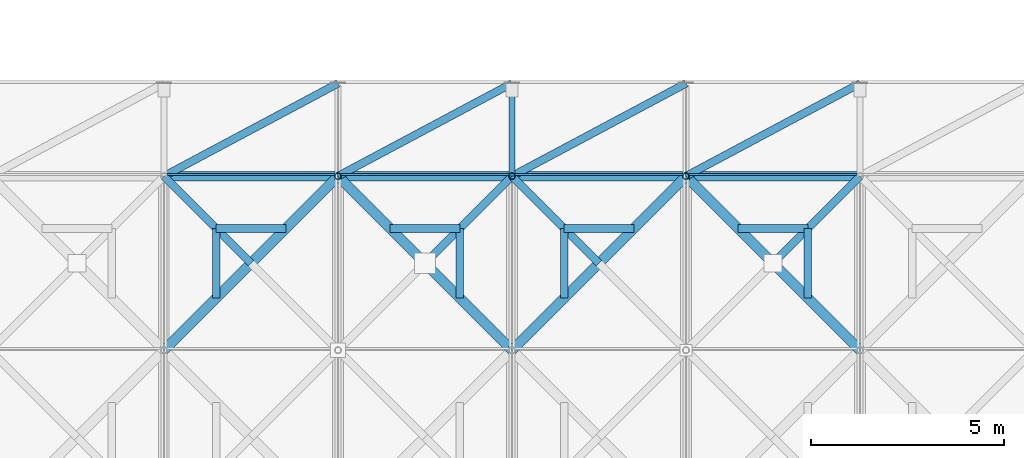
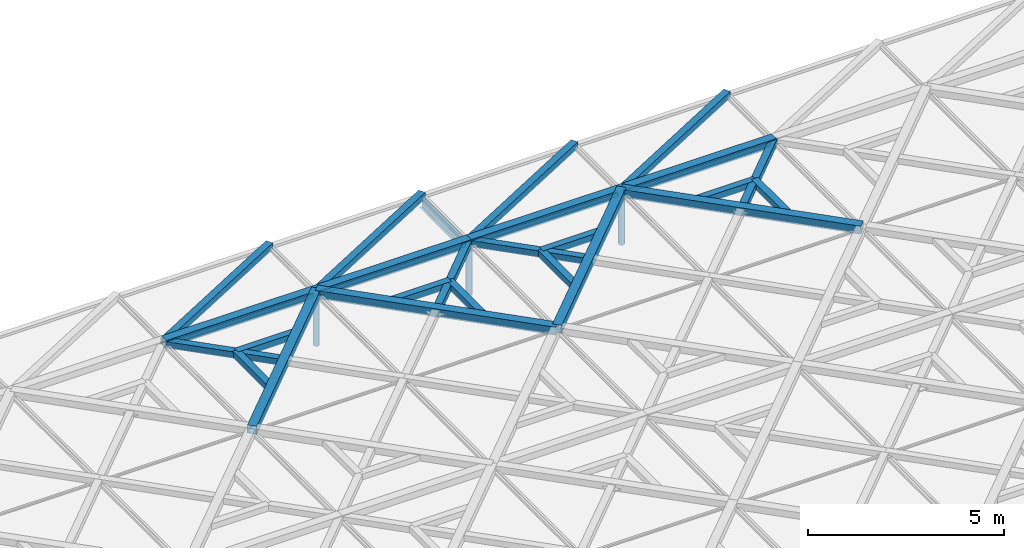
# One storey, part 56 of 80: 29 members, 1 beam, 4 elements without a shape of their own.
"""IFC4 building model written with IfcOpenShell, lengths in metres."""

from ifc_helpers import new_model, si_unit, direction, frame, origin, origin_2d, place, context, subcontext, project, spatial, rectangle, hollow_rectangle, hollow_circle, i_section, extrude, material, material_profile, profile_set, type_object, element, aggregate, save


model = new_model("IFC4")

# Units and contexts
model_context = context("Model", 3, precision=1e-05, world=origin(), true_north=direction((0.0, 1.0)))
body_context = subcontext(model_context, "Body", "Model", "MODEL_VIEW")
ifc_project = project(units=[si_unit("LENGTHUNIT", "METRE"), si_unit("AREAUNIT", "SQUARE_METRE"), si_unit("VOLUMEUNIT", "CUBIC_METRE"), si_unit("PLANEANGLEUNIT", "RADIAN"), si_unit("MASSUNIT", "GRAM", prefix="KILO"), si_unit("THERMODYNAMICTEMPERATUREUNIT", "KELVIN"), si_unit("POWERUNIT", "WATT")], contexts=[model_context])

# Site, building, storey
site_placement = place(None, origin())
site = spatial("IfcSite", under=ifc_project, at=site_placement, CompositionType="ELEMENT")
building_placement = place(site_placement, origin())
building = spatial("IfcBuilding", under=site, at=building_placement, Name="Tallowbark Science Centre", CompositionType="ELEMENT")
storey_placement = place(building_placement, frame((0.0, 0.0, 25.949951171875)))
storey = spatial("IfcBuildingStorey", under=building, at=storey_placement, Name="ROOF", CompositionType="ELEMENT", Elevation=25.949951171875)

# Beam
ifc_material_1 = material(Name="White Architectural Painted Steel Grade C350L0 (350 MPa)", Category="steel")
ifc_material_profile_1 = material_profile(ifc_material_1, i_section(OverallWidth=0.146484375, OverallDepth=0.256103515625, WebThickness=0.00634765625, FlangeThickness=0.010986328125, FilletRadius=0.0087890625, at=origin_2d()), Name="250UB37.3")
ifc_profile_set_1 = profile_set([ifc_material_profile_1], Name="White Architectural Painted Steel Grade C350L0 (350 MPa)")
beam_type = type_object("IfcBeamType", Name="BM-OUT250", PredefinedType="BEAM", material=ifc_profile_set_1)
beam_placement = place(storey_placement, frame((76.5, 40.5, 0.199951171875), z_axis=(0.0, 1.0, 0.0), x_axis=(-1.0, 0.0, 0.0)))
element("IfcBeam", 1, at=beam_placement, inside=storey, type_object=beam_type, Name="Star Screen Outrigger Tie Beam N-106", PredefinedType="BEAM", context=body_context, shape_type="SweptSolid", body=[
    extrude(i_section(OverallWidth=0.146484375, OverallDepth=0.256103515625, WebThickness=0.00634765625, FlangeThickness=0.010986328125, FilletRadius=0.0087890625, at=origin_2d()), origin(), (0.0, 0.0, 1.0), 2.39990234375),
])

# Curtain wall, member
ifc_material_2 = material(Name="Blue-Tinted Laminated Low-E Skylight Glass", Category="glass")
curtain_wall_type = type_object("IfcCurtainWallType", Name="CW-SKY-ROOF", PredefinedType="NOTDEFINED", material=ifc_material_2)
curtain_wall_1_placement = place(storey_placement, origin())
curtain_wall_1 = element("IfcCurtainWall", 2, at=curtain_wall_1_placement, inside=storey, type_object=curtain_wall_type, Name="Exhibition Star-Screen Skylight Bay 4", PredefinedType="NOTDEFINED")
ifc_material_3 = material(Name="Anodised Architectural Aluminium Alloy 6063-T6", Category="aluminium")
ifc_material_profile_2 = material_profile(ifc_material_3, rectangle(XDim=0.054931640625, YDim=0.1201171875, at=origin_2d()), Name="ALU55x120")
ifc_profile_set_2 = profile_set([ifc_material_profile_2], Name="Anodised Architectural Aluminium Alloy 6063-T6")
member_type_1 = type_object("IfcMemberType", Name="CWM-SKY-TRN", PredefinedType="USERDEFINED", material=ifc_profile_set_2)
member_1_placement = place(storey_placement, frame((67.580078125, 40.5400390625, 0.35205078125), z_axis=(1.0, 0.0, 0.0), x_axis=(0.0, 1.0, 0.0)))
member_1 = element("IfcMember", 3, at=member_1_placement, type_object=member_type_1, Name="Skylight Bay 4 Transom 10", ObjectType="TRANSOM", PredefinedType="USERDEFINED", context=body_context, shape_type="SweptSolid", body=[
    extrude(rectangle(XDim=0.054931640625, YDim=0.1201171875, at=origin_2d()), origin(), (0.0, 0.0, 1.0), 4.33984375),
])
aggregate(curtain_wall_1, [member_1])

curtain_wall_2_placement = place(storey_placement, origin())
curtain_wall_2 = element("IfcCurtainWall", 4, at=curtain_wall_2_placement, inside=storey, type_object=curtain_wall_type, Name="Exhibition Star-Screen Skylight Bay 5", PredefinedType="NOTDEFINED")
member_2_placement = place(storey_placement, frame((72.080078125, 40.5400390625, 0.35205078125), z_axis=(1.0, 0.0, 0.0), x_axis=(0.0, 1.0, 0.0)))
member_2 = element("IfcMember", 5, at=member_2_placement, type_object=member_type_1, Name="Skylight Bay 5 Transom 10", ObjectType="TRANSOM", PredefinedType="USERDEFINED", context=body_context, shape_type="SweptSolid", body=[
    extrude(rectangle(XDim=0.054931640625, YDim=0.1201171875, at=origin_2d()), origin(), (0.0, 0.0, 1.0), 4.33984375),
])
aggregate(curtain_wall_2, [member_2])

curtain_wall_3_placement = place(storey_placement, origin())
curtain_wall_3 = element("IfcCurtainWall", 6, at=curtain_wall_3_placement, inside=storey, type_object=curtain_wall_type, Name="Exhibition Star-Screen Skylight Bay 6", PredefinedType="NOTDEFINED")
member_3_placement = place(storey_placement, frame((76.580078125, 40.5400390625, 0.35205078125), z_axis=(1.0, 0.0, 0.0), x_axis=(0.0, 1.0, 0.0)))
member_3 = element("IfcMember", 7, at=member_3_placement, type_object=member_type_1, Name="Skylight Bay 6 Transom 10", ObjectType="TRANSOM", PredefinedType="USERDEFINED", context=body_context, shape_type="SweptSolid", body=[
    extrude(rectangle(XDim=0.054931640625, YDim=0.1201171875, at=origin_2d()), origin(), (0.0, 0.0, 1.0), 4.33984375),
])
aggregate(curtain_wall_3, [member_3])

curtain_wall_4_placement = place(storey_placement, origin())
curtain_wall_4 = element("IfcCurtainWall", 8, at=curtain_wall_4_placement, inside=storey, type_object=curtain_wall_type, Name="Exhibition Star-Screen Skylight Bay 7", PredefinedType="NOTDEFINED")
member_4_placement = place(storey_placement, frame((81.080078125, 40.5400390625, 0.35205078125), z_axis=(1.0, 0.0, 0.0), x_axis=(0.0, 1.0, 0.0)))
member_4 = element("IfcMember", 9, at=member_4_placement, type_object=member_type_1, Name="Skylight Bay 7 Transom 10", ObjectType="TRANSOM", PredefinedType="USERDEFINED", context=body_context, shape_type="SweptSolid", body=[
    extrude(rectangle(XDim=0.054931640625, YDim=0.1201171875, at=origin_2d()), origin(), (0.0, 0.0, 1.0), 4.33984375),
])
aggregate(curtain_wall_4, [member_4])

# Members
ifc_material_profile_3 = material_profile(ifc_material_1, hollow_rectangle(XDim=0.25, YDim=0.25, WallThickness=0.009033203125, at=origin_2d()), Name="250x250x9.0SHS")
ifc_profile_set_3 = profile_set([ifc_material_profile_3], Name="White Architectural Painted Steel Grade C350L0 (350 MPa)")
member_type_2 = type_object("IfcMemberType", Name="SCR-CHD200", PredefinedType="CHORD", material=ifc_profile_set_3)
member_5_placement = place(storey_placement, frame((67.5, 40.5, 0.449951171875), z_axis=(1.0, 0.0, 0.0), x_axis=(0.0, 1.0, 0.0)))
element("IfcMember", 10, at=member_5_placement, inside=storey, type_object=member_type_2, Name="Star Screen Frame Chord TOP-61", PredefinedType="CHORD", context=body_context, shape_type="SweptSolid", body=[
    extrude(hollow_rectangle(XDim=0.25, YDim=0.25, WallThickness=0.009033203125, at=origin_2d()), origin(), (0.0, 0.0, 1.0), 9.0),
])
for number, where, z_axis, x_axis, name in (
    (11, (76.5, 36.0, 0.449951171875), (-0.707106781187, 0.707106781187, 0.0), (-0.707106781187, -0.707106781187, 0.0), "Star Screen Octagram Diamond Chord TOP-61-2"),
    (12, (72.0, 40.5, 0.449951171875), (-0.707106781187, -0.707106781187, 0.0), (0.707106781187, -0.707106781187, 0.0), "Star Screen Octagram Diamond Chord TOP-61-3"),
):
    element("IfcMember", number, at=place(storey_placement, frame(where, z_axis=z_axis, x_axis=x_axis)), inside=storey, type_object=member_type_2, Name=name, PredefinedType="CHORD", context=body_context, shape_type="SweptSolid", body=[
        extrude(hollow_rectangle(XDim=0.25, YDim=0.25, WallThickness=0.009033203125, at=origin_2d()), origin(), (0.0, 0.0, 1.0), 6.364013671875),
    ])
member_6_placement = place(storey_placement, frame((76.5, 40.5, 0.449951171875), z_axis=(1.0, 0.0, 0.0), x_axis=(0.0, 1.0, 0.0)))
element("IfcMember", 13, at=member_6_placement, inside=storey, type_object=member_type_2, Name="Star Screen Frame Chord TOP-65", PredefinedType="CHORD", context=body_context, shape_type="SweptSolid", body=[
    extrude(hollow_rectangle(XDim=0.25, YDim=0.25, WallThickness=0.009033203125, at=origin_2d()), origin(), (0.0, 0.0, 1.0), 9.0),
])
for number, where, z_axis, x_axis, name in (
    (14, (85.5, 36.0, 0.449951171875), (-0.707106781187, 0.707106781187, 0.0), (-0.707106781187, -0.707106781187, 0.0), "Star Screen Octagram Diamond Chord TOP-65-2"),
    (15, (81.0, 40.5, 0.449951171875), (-0.707106781187, -0.707106781187, 0.0), (0.707106781187, -0.707106781187, 0.0), "Star Screen Octagram Diamond Chord TOP-65-3"),
):
    element("IfcMember", number, at=place(storey_placement, frame(where, z_axis=z_axis, x_axis=x_axis)), inside=storey, type_object=member_type_2, Name=name, PredefinedType="CHORD", context=body_context, shape_type="SweptSolid", body=[
        extrude(hollow_rectangle(XDim=0.25, YDim=0.25, WallThickness=0.009033203125, at=origin_2d()), origin(), (0.0, 0.0, 1.0), 6.364013671875),
    ])
ifc_material_profile_4 = material_profile(ifc_material_1, hollow_rectangle(XDim=0.199951171875, YDim=0.199951171875, WallThickness=0.009033203125, at=origin_2d()), Name="200x200x9.0SHS")
ifc_profile_set_4 = profile_set([ifc_material_profile_4], Name="White Architectural Painted Steel Grade C350L0 (350 MPa)")
member_type_3 = type_object("IfcMemberType", Name="SCR-STAR139", PredefinedType="BRACE", material=ifc_profile_set_4)
for number, where, z_axis, x_axis, name in (
    (16, (74.25, 38.25, 0.449951171875), (0.707106781187, 0.707106781187, 0.0), (-0.707106781187, 0.707106781187, 0.0), "Star Screen Continuous X-Diagonal D1B TOP-61"),
    (17, (67.5, 40.5, 0.449951171875), (0.707106781187, -0.707106781187, 0.0), (0.707106781187, 0.707106781187, 0.0), "Star Screen Split X-Diagonal D2A TOP-61"),
    (18, (83.25, 38.25, 0.449951171875), (0.707106781187, 0.707106781187, 0.0), (-0.707106781187, 0.707106781187, 0.0), "Star Screen Continuous X-Diagonal D1B TOP-65"),
    (19, (76.5, 40.5, 0.449951171875), (0.707106781187, -0.707106781187, 0.0), (0.707106781187, 0.707106781187, 0.0), "Star Screen Split X-Diagonal D2A TOP-65"),
):
    element("IfcMember", number, at=place(storey_placement, frame(where, z_axis=z_axis, x_axis=x_axis)), inside=storey, type_object=member_type_3, Name=name, PredefinedType="BRACE", context=body_context, shape_type="SweptSolid", body=[
        extrude(hollow_rectangle(XDim=0.199951171875, YDim=0.199951171875, WallThickness=0.009033203125, at=origin_2d()), origin(), (0.0, 0.0, 1.0), 3.181884765625),
    ])
for number, where, z_axis, x_axis, name in (
    (20, (67.5, 40.5, 0.449951171875), (0.882360891967, 0.470573327259, 0.0), (-0.470573327259, 0.882360891967, 0.0), "Top Perimeter Gap Star Diagonal 4-10"),
    (21, (72.0, 40.5, 0.449951171875), (0.882360891967, 0.470573327259, 0.0), (-0.470573327259, 0.882360891967, 0.0), "Top Perimeter Gap Star Diagonal 5-10"),
    (22, (76.5, 40.5, 0.449951171875), (0.882360891967, 0.470573327259, 0.0), (-0.470573327259, 0.882360891967, 0.0), "Top Perimeter Gap Star Diagonal 6-10"),
    (23, (81.0, 40.5, 0.449951171875), (0.882360891967, 0.470573327259, 0.0), (-0.470573327259, 0.882360891967, 0.0), "Top Perimeter Gap Star Diagonal 7-10"),
):
    element("IfcMember", number, at=place(storey_placement, frame(where, z_axis=z_axis, x_axis=x_axis)), inside=storey, type_object=member_type_3, Name=name, PredefinedType="BRACE", context=body_context, shape_type="SweptSolid", body=[
        extrude(hollow_rectangle(XDim=0.199951171875, YDim=0.199951171875, WallThickness=0.009033203125, at=origin_2d()), origin(), (0.0, 0.0, 1.0), 5.099853515625),
    ])
ifc_material_profile_5 = material_profile(ifc_material_1, hollow_rectangle(XDim=0.199951171875, YDim=0.199951171875, WallThickness=0.009033203125, at=origin_2d()), Name="200x200x9.0SHS")
ifc_profile_set_5 = profile_set([ifc_material_profile_5], Name="White Architectural Painted Steel Grade C350L0 (350 MPa)")
member_type_4 = type_object("IfcMemberType", Name="SCR-SUB150", PredefinedType="BRACE", material=ifc_profile_set_5)
for number, where, z_axis, x_axis, name in (
    (24, (75.14990234375, 39.14990234375, 0.449951171875), (-1.0, 0.0, 0.0), (0.0, -1.0, 0.0), "Star Screen Octagram Point Ray TOP-61-5"),
    (25, (75.14990234375, 39.14990234375, 0.449951171875), (0.0, -1.0, 0.0), (1.0, 0.0, 0.0), "Star Screen Octagram Point Ray TOP-61-6"),
    (26, (68.85009765625, 39.14990234375, 0.449951171875), (1.0, 0.0, 0.0), (0.0, 1.0, 0.0), "Star Screen Octagram Point Ray TOP-61-7"),
    (27, (68.85009765625, 39.14990234375, 0.449951171875), (0.0, -1.0, 0.0), (1.0, 0.0, 0.0), "Star Screen Octagram Point Ray TOP-61-8"),
    (28, (84.14990234375, 39.14990234375, 0.449951171875), (-1.0, 0.0, 0.0), (0.0, -1.0, 0.0), "Star Screen Octagram Point Ray TOP-65-5"),
    (29, (84.14990234375, 39.14990234375, 0.449951171875), (0.0, -1.0, 0.0), (1.0, 0.0, 0.0), "Star Screen Octagram Point Ray TOP-65-6"),
    (30, (77.85009765625, 39.14990234375, 0.449951171875), (1.0, 0.0, 0.0), (0.0, 1.0, 0.0), "Star Screen Octagram Point Ray TOP-65-7"),
    (31, (77.85009765625, 39.14990234375, 0.449951171875), (0.0, -1.0, 0.0), (1.0, 0.0, 0.0), "Star Screen Octagram Point Ray TOP-65-8"),
):
    element("IfcMember", number, at=place(storey_placement, frame(where, z_axis=z_axis, x_axis=x_axis)), inside=storey, type_object=member_type_4, Name=name, PredefinedType="BRACE", context=body_context, shape_type="SweptSolid", body=[
        extrude(hollow_rectangle(XDim=0.199951171875, YDim=0.199951171875, WallThickness=0.009033203125, at=origin_2d()), origin(), (0.0, 0.0, 1.0), 1.7998046875),
    ])
ifc_material_profile_6 = material_profile(ifc_material_1, hollow_circle(Radius=0.084228515625, WallThickness=0.007080078125, at=origin_2d()), Name="168.3x7.1CHS")
ifc_profile_set_6 = profile_set([ifc_material_profile_6], Name="White Architectural Painted Steel Grade C350L0 (350 MPa)")
member_type_5 = type_object("IfcMemberType", Name="TR-WEB168", PredefinedType="BRACE", material=ifc_profile_set_6)
for number, where, z_axis, x_axis, name in (
    (32, (72.0, 40.5, -1.199951171875), (0.0, 0.0, 1.0), (1.0, 0.0, 0.0), "Exhibition Roof Truss Web 4-40.5"),
    (33, (76.5, 40.5, -1.199951171875), (0.0, 0.0, 1.0), (1.0, 0.0, 0.0), "Exhibition Roof Truss Web 5-40.5"),
    (34, (81.0, 40.5, -1.199951171875), (0.0, 0.0, 1.0), (1.0, 0.0, 0.0), "Exhibition Roof Truss Web 6-40.5"),
):
    element("IfcMember", number, at=place(storey_placement, frame(where, z_axis=z_axis, x_axis=x_axis)), inside=storey, type_object=member_type_5, Name=name, PredefinedType="BRACE", context=body_context, shape_type="SweptSolid", body=[
        extrude(hollow_circle(Radius=0.084228515625, WallThickness=0.007080078125, at=origin_2d()), origin(), (0.0, 0.0, 1.0), 1.389892578125),
    ])

save(model, "model.ifc")
